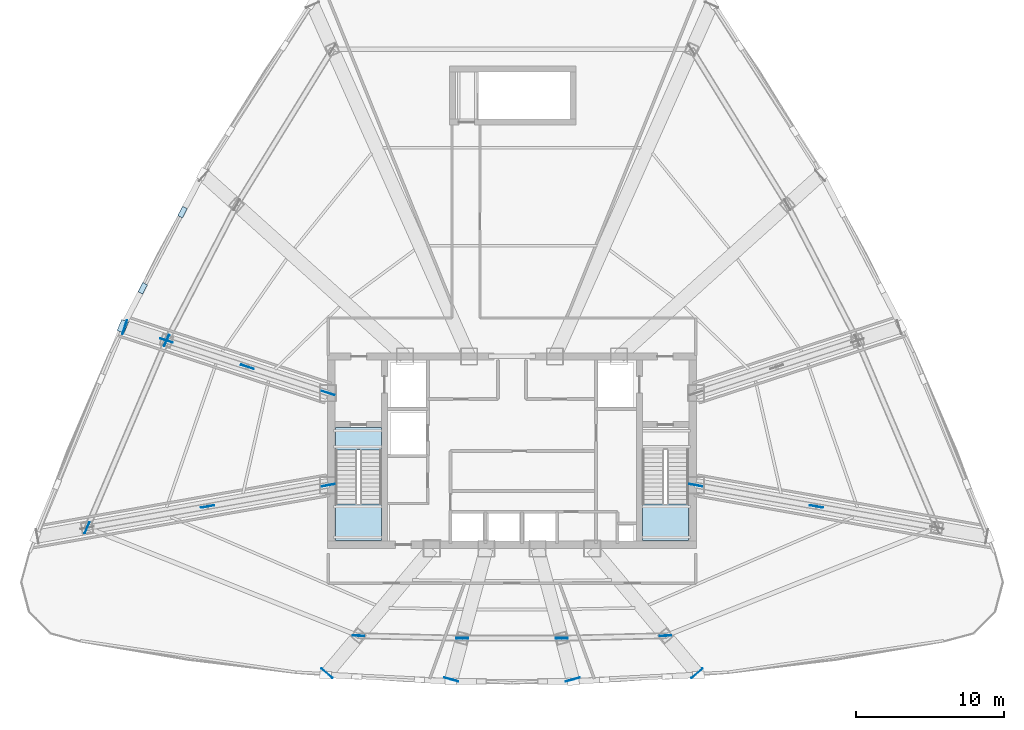
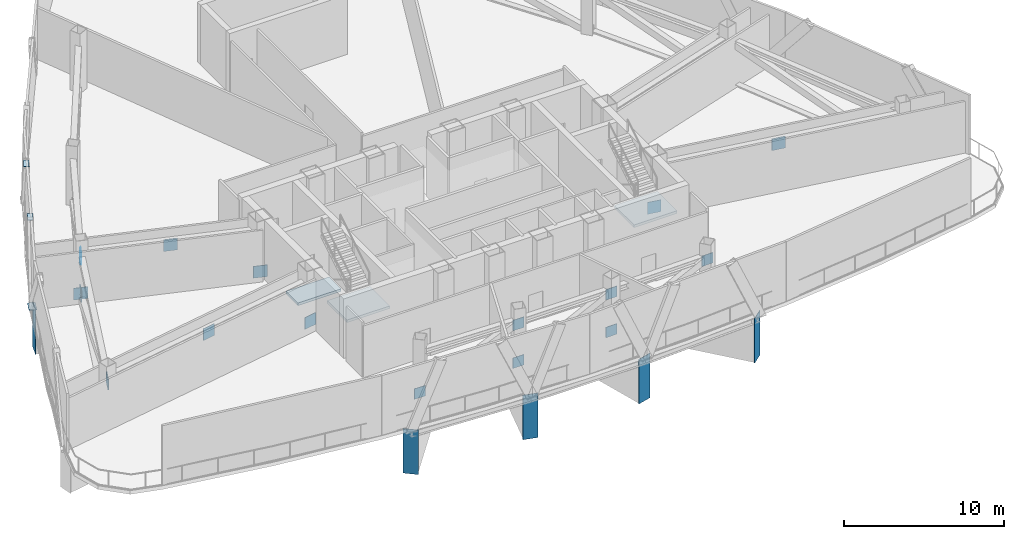
# One storey, part 4 of 13: 24 plates, 3 slabs, 2 elements without a shape of their own.
"""IFC4 building model written with IfcOpenShell, lengths in metres."""

from ifc_helpers import new_model, si_unit, direction, frame, origin, origin_2d, place, context, subcontext, project, spatial, polyline, rectangle, outline, extrude, source, transform, mapped, material, layer, layer_set, type_object, element, aggregate, save


model = new_model("IFC4")

# Units and contexts
model_context = context("Model", 3, precision=1e-05, world=origin(), true_north=direction((0.0, 1.0)))
body_context = subcontext(model_context, "Body", "Model", "MODEL_VIEW")
ifc_project = project(units=[si_unit("LENGTHUNIT", "METRE"), si_unit("AREAUNIT", "SQUARE_METRE"), si_unit("VOLUMEUNIT", "CUBIC_METRE"), si_unit("PLANEANGLEUNIT", "RADIAN"), si_unit("MASSUNIT", "GRAM", prefix="KILO"), si_unit("THERMODYNAMICTEMPERATUREUNIT", "KELVIN"), si_unit("POWERUNIT", "WATT")], contexts=[model_context])

# Site, building, storey
site_placement = place(None, origin())
site = spatial("IfcSite", under=ifc_project, at=site_placement, CompositionType="ELEMENT")
building_placement = place(site_placement, origin())
building = spatial("IfcBuilding", under=site, at=building_placement, Name="Yunzhuo Pagoda Commons", CompositionType="ELEMENT")
storey_placement = place(building_placement, frame((0.0, 0.0, 272.760009765625)))
storey = spatial("IfcBuildingStorey", under=building, at=storey_placement, Name="L68", CompositionType="ELEMENT", Elevation=272.760009765625)

# Stair, slabs
ifc_material_1 = material(Name="Concrete C40", Category="concrete")
stair_type_1 = type_object("IfcStairType", Name="ST-C1 Core Smokeproof Stair ST1", PredefinedType="HALF_TURN_STAIR", material=ifc_material_1)
stair_1_placement = place(storey_placement, origin())
stair_1 = element("IfcStair", 1, at=stair_1_placement, inside=storey, type_object=stair_type_1, Name="L68 Core smokeproof stair ST1", PredefinedType="HALF_TURN_STAIR")
ifc_layer_1 = layer(ifc_material_1, 0.199951171875)
ifc_layer_set_1 = layer_set([ifc_layer_1], Name="Concrete C40")
slab_type_1 = type_object("IfcSlabType", Name="SL-LND1 Stair Landing Slab 200", PredefinedType="LANDING", material=ifc_layer_set_1)
slab_1_placement = place(storey_placement, frame((0.0, 0.0, 2.199951171875)))
slab_1 = element("IfcSlab", 2, at=slab_1_placement, type_object=slab_type_1, Name="ST1 landing 1", PredefinedType="LANDING", context=body_context, shape_type="SweptSolid", body=[
    extrude(outline(polyline([(36.10009765625, 30.260009765625), (36.10009765625, 27.800048828125), (39.199951171875, 27.800048828125), (39.199951171875, 30.260009765625), (36.10009765625, 30.260009765625)])), origin(), (0.0, 0.0, 1.0), 0.199951171875),
])
slab_2_placement = place(storey_placement, frame((0.0, 0.0, -0.199951171875)))
slab_2 = element("IfcSlab", 3, at=slab_2_placement, type_object=slab_type_1, Name="ST1 floor landing L68", PredefinedType="LANDING", context=body_context, shape_type="SweptSolid", body=[
    extrude(outline(polyline([(36.10009765625, 35.39990234375), (36.10009765625, 33.89990234375), (39.199951171875, 33.89990234375), (39.199951171875, 35.39990234375), (36.10009765625, 35.39990234375)])), origin(), (0.0, 0.0, 1.0), 0.199951171875),
])
aggregate(stair_1, [slab_1, slab_2])

# Stair, slab
stair_type_2 = type_object("IfcStairType", Name="ST-C2 Core Smokeproof Stair ST2", PredefinedType="HALF_TURN_STAIR", material=ifc_material_1)
stair_2_placement = place(storey_placement, origin())
stair_2 = element("IfcStair", 4, at=stair_2_placement, inside=storey, type_object=stair_type_2, Name="L68 Core smokeproof stair ST2", PredefinedType="HALF_TURN_STAIR")
ifc_layer_2 = layer(ifc_material_1, 0.201904296875)
ifc_layer_set_2 = layer_set([ifc_layer_2], Name="Concrete C40")
slab_type_2 = type_object("IfcSlabType", Name="SL-LND2 Stair Landing Slab 202", PredefinedType="LANDING", material=ifc_layer_set_2)
slab_3_placement = place(storey_placement, frame((0.0, 0.0, 2.199951171875)))
slab_3 = element("IfcSlab", 5, at=slab_3_placement, type_object=slab_type_2, Name="ST2 landing 1", PredefinedType="LANDING", context=body_context, shape_type="SweptSolid", body=[
    extrude(outline(polyline([(56.800048828125, 30.260009765625), (56.800048828125, 27.800048828125), (59.89990234375, 27.800048828125), (59.89990234375, 30.260009765625), (56.800048828125, 30.260009765625)])), origin(), (0.0, 0.0, 1.0), 0.199951171875),
])
aggregate(stair_2, [slab_3])

# Plates
ifc_material_2 = material(Name="Structural steel Q420B", Category="steel")
ifc_layer_3 = layer(ifc_material_2, 0.0400390625)
ifc_layer_set_3 = layer_set([ifc_layer_3], Name="Structural steel Q420B")
plate_type_1 = type_object("IfcPlateType", Name="EP-TR2 Transfer Girder End Cap Plate 980x3540x40", PredefinedType="USERDEFINED", material=ifc_layer_set_3)
shared_shape_1 = source(origin(), body_context, "Body", "SweptSolid", [
    extrude(rectangle(XDim=0.97998046875, YDim=0.0400390625, at=origin_2d()), origin(), (0.0, 0.0, 1.0), 3.389892578125),
])
for number, where, z_axis, x_axis, name in (
    (6, (35.519287109375, 18.826171875, -3.64990234375), (0.0, 0.0, 1.0), (0.766044443119, -0.642787609687, 0.0), "L68 transfer girder end cap plate F1C1"),
    (7, (43.90234375, 18.407470703125, -3.64990234375), (0.0, 0.0, 1.0), (0.965925826289, -0.258819045103, 0.0), "L68 transfer girder end cap plate F1C2"),
    (8, (52.09765625, 18.407470703125, -3.64990234375), (0.0, 0.0, 1.0), (0.965925826289, 0.258819045103, 0.0), "L68 transfer girder end cap plate F1C3"),
    (9, (60.480712890625, 18.826171875, -3.64990234375), (0.0, 0.0, 1.0), (0.766044443119, 0.642787609687, 0.0), "L68 transfer girder end cap plate F1C4"),
    (10, (21.882080078125, 42.186279296875, -3.64990234375), (0.0, 0.0, 1.0), (-0.309016994375, -0.951056516295, 0.0), "L68 transfer girder end cap plate F3C3"),
):
    element("IfcPlate", number, at=place(storey_placement, frame(where, z_axis=z_axis, x_axis=x_axis)), inside=storey, type_object=plate_type_1, Name=name, ObjectType="END_PLATE", PredefinedType="USERDEFINED", context=body_context, shape_type="MappedRepresentation", body=[
        mapped(shared_shape_1, transform((0.0, 0.0, 0.0), scale=1.0)),
    ])
ifc_layer_4 = layer(ifc_material_2, 0.0400390625)
ifc_layer_set_4 = layer_set([ifc_layer_4], Name="Structural steel Q420B")
plate_type_2 = type_object("IfcPlateType", Name="GP-OT1 Outrigger Gusset Plate 900x500x900", PredefinedType="USERDEFINED", material=ifc_layer_set_4)
shared_shape_2 = source(origin(), body_context, "Body", "SweptSolid", [
    extrude(rectangle(XDim=0.89990234375, YDim=0.0400390625, at=origin_2d()), origin(), (0.0, 0.0, 1.0), 0.89990234375),
])
for number, where, z_axis, x_axis, name in (
    (11, (68.531005859375, 30.079833984375, 2.68994140625), (0.0, 0.0, 1.0), (0.984807753012, -0.173648177667, 0.0), "L68 outrigger apex gusset plate F2C1"),
    (12, (60.39990234375, 31.513427734375, -0.179931640625), (0.0, 0.0, 1.0), (0.984807753012, -0.173648177667, 0.0), "L68 outrigger core gusset plate F2C1"),
    (13, (30.148681640625, 39.500244140625, 2.68994140625), (0.0, 0.0, 1.0), (-0.951056516295, 0.309016994375, 0.0), "L68 outrigger apex gusset plate F3C3"),
    (14, (35.60009765625, 37.72900390625, -0.179931640625), (0.0, 0.0, 1.0), (-0.951056516295, 0.309016994375, 0.0), "L68 outrigger core gusset plate F3C3"),
    (15, (24.697509765625, 41.271484375, -0.179931640625), (0.0, 0.0, 1.0), (-0.951056516295, 0.309016994375, 0.0), "L68 outrigger column gusset plate F3C3"),
    (16, (27.468994140625, 30.079833984375, 2.68994140625), (0.0, 0.0, 1.0), (-0.984807753012, -0.173648177667, 0.0), "L68 outrigger apex gusset plate F3C4"),
    (17, (35.60009765625, 31.513427734375, -0.179931640625), (0.0, 0.0, 1.0), (-0.984807753012, -0.173648177667, 0.0), "L68 outrigger core gusset plate F3C4"),
):
    element("IfcPlate", number, at=place(storey_placement, frame(where, z_axis=z_axis, x_axis=x_axis)), inside=storey, type_object=plate_type_2, Name=name, ObjectType="GUSSET_PLATE", PredefinedType="USERDEFINED", context=body_context, shape_type="MappedRepresentation", body=[
        mapped(shared_shape_2, transform((0.0, 0.0, 0.0), scale=1.0)),
    ])
ifc_material_3 = material(Name="Structural steel Q355B", Category="steel")
ifc_layer_5 = layer(ifc_material_3, 0.028076171875)
ifc_layer_set_5 = layer_set([ifc_layer_5], Name="Structural steel Q355B")
plate_type_3 = type_object("IfcPlateType", Name="SP-ND1 Lattice Node Cap Plate 800x500x28", PredefinedType="USERDEFINED", material=ifc_layer_set_5)
shared_shape_3 = source(origin(), body_context, "Body", "SweptSolid", [
    extrude(rectangle(XDim=0.800048828125, YDim=0.0400390625, at=origin_2d()), origin(), (0.0, 0.0, 1.0), 0.800048828125),
])
for number, where, z_axis, x_axis, name in (
    (18, (37.646728515625, 21.361572265625, -0.1298828125), (0.0, 0.0, 1.0), (0.999718717125, -0.023716800574, 0.0), "L68 belt truss lower gusset plate 1"),
    (19, (44.6494140625, 21.195556640625, 2.73974609375), (0.0, 0.0, 1.0), (0.999718717125, -0.023716800574, 0.0), "L68 belt truss upper gusset plate 1"),
    (20, (44.6494140625, 21.195556640625, -0.1298828125), (0.0, 0.0, 1.0), (1.0, 0.0, 0.0), "L68 belt truss lower gusset plate 2"),
    (21, (51.3505859375, 21.195556640625, 2.73974609375), (0.0, 0.0, 1.0), (1.0, 0.0, 0.0), "L68 belt truss upper gusset plate 2"),
    (22, (51.3505859375, 21.195556640625, -0.1298828125), (0.0, 0.0, 1.0), (0.999718717125, 0.023716800574, 0.0), "L68 belt truss lower gusset plate 3"),
    (23, (58.353271484375, 21.361572265625, 2.73974609375), (0.0, 0.0, 1.0), (0.999718717125, 0.023716800574, 0.0), "L68 belt truss upper gusset plate 3"),
    (24, (24.697509765625, 41.271484375, 2.73974609375), (0.0, 0.0, 1.0), (-0.459052748957, -0.888409012604, 0.0), "L68 belt truss upper gusset plate 10"),
    (25, (24.697509765625, 41.271484375, -0.1298828125), (0.0, 0.0, 1.0), (-0.39074719427, -0.920498033768, 0.0), "L68 belt truss lower gusset plate 11"),
    (26, (19.33837890625, 28.646240234375, 2.73974609375), (0.0, 0.0, 1.0), (-0.39074719427, -0.920498033768, 0.0), "L68 belt truss upper gusset plate 11"),
):
    element("IfcPlate", number, at=place(storey_placement, frame(where, z_axis=z_axis, x_axis=x_axis)), inside=storey, type_object=plate_type_3, Name=name, ObjectType="STIFFENER_PLATE", PredefinedType="USERDEFINED", context=body_context, shape_type="MappedRepresentation", body=[
        mapped(shared_shape_3, transform((0.0, 0.0, 0.0), scale=1.0)),
    ])
shared_shape_4 = source(origin(), body_context, "Body", "SweptSolid", [
    extrude(rectangle(XDim=0.800048828125, YDim=0.5, at=origin_2d()), origin(), (0.0, 0.0, 1.0), 0.028076171875),
])
plate_placement = place(storey_placement, frame((21.751708984375, 42.228515625, -0.2939453125), z_axis=(0.0, 0.0, 1.0), x_axis=(-0.383860227441, -0.923391209504, 0.0)))
element("IfcPlate", 27, at=plate_placement, inside=storey, type_object=plate_type_3, Name="L68 diamond node plate F3.3A", ObjectType="STIFFENER_PLATE", PredefinedType="USERDEFINED", context=body_context, shape_type="MappedRepresentation", body=[
    mapped(shared_shape_4, transform((0.0, 0.0, 0.0), scale=1.0)),
])
shared_shape_5 = source(origin(), body_context, "Body", "SweptSolid", [
    extrude(rectangle(XDim=0.699951171875, YDim=0.35009765625, at=origin_2d()), origin(), (0.0, 0.0, 1.0), 0.035888671875),
])
for number, where, z_axis, x_axis, name in (
    (28, (25.77587890625, 49.934326171875, 4.501953125), (0.0, 0.0, 1.0), (-0.462909311772, -0.886405645895, 0.0), "L68 setback lattice tie plate F3.2L"),
    (29, (23.093017578125, 44.797119140625, 4.501953125), (0.0, 0.0, 1.0), (-0.462909311772, -0.886405645895, 0.0), "L68 setback lattice tie plate F3.2R"),
):
    element("IfcPlate", number, at=place(storey_placement, frame(where, z_axis=z_axis, x_axis=x_axis)), inside=storey, type_object=plate_type_3, Name=name, ObjectType="STIFFENER_PLATE", PredefinedType="USERDEFINED", context=body_context, shape_type="MappedRepresentation", body=[
        mapped(shared_shape_5, transform((0.0, 0.0, 0.0), scale=1.0)),
    ])

save(model, "model.ifc")
